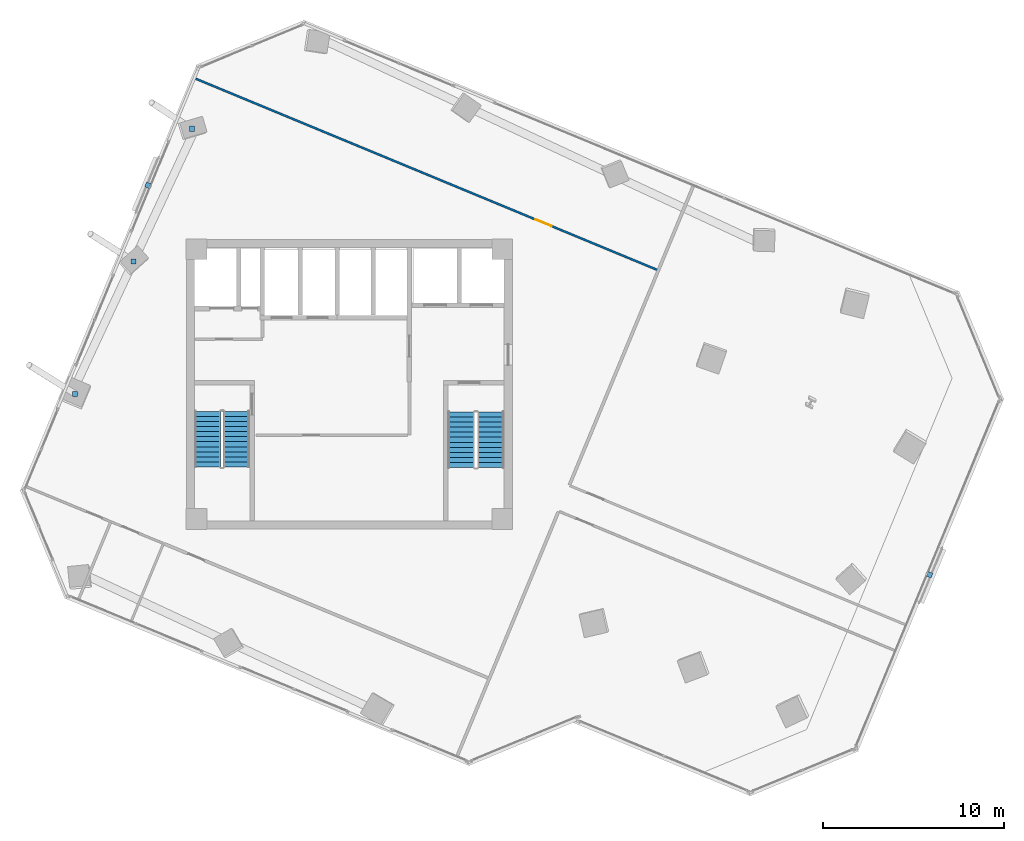
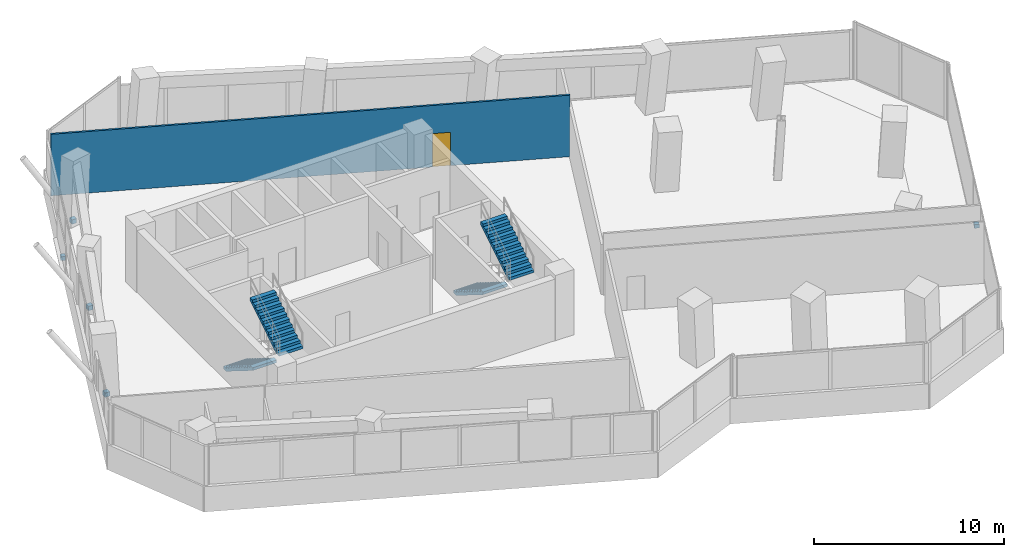
# One storey, part 18 of 22: 5 discrete accessories, 4 stair flights, 1 door, 1 wall, 1 opening, 2 elements without a shape of their own.
"""IFC4 building model written with IfcOpenShell, lengths in metres."""

from ifc_helpers import new_model, si_unit, direction, frame, frame_2d, origin, origin_2d, place, context, subcontext, project, spatial, polyline, rectangle, outline, extrude, source, transform, mapped, material, layer, layer_set, type_object, element, fill, aggregate, save


model = new_model("IFC4")

# Units and contexts
model_context = context("Model", 3, precision=1e-05, world=origin(), true_north=direction((0.0, 1.0)))
body_context = subcontext(model_context, "Body", "Model", "MODEL_VIEW")
ifc_project = project(units=[si_unit("LENGTHUNIT", "METRE"), si_unit("AREAUNIT", "SQUARE_METRE"), si_unit("VOLUMEUNIT", "CUBIC_METRE"), si_unit("PLANEANGLEUNIT", "RADIAN"), si_unit("MASSUNIT", "GRAM", prefix="KILO")], contexts=[model_context])

# Site, building, storey
site_placement = place(None, origin())
site = spatial("IfcSite", under=ifc_project, at=site_placement, CompositionType="ELEMENT")
building_placement = place(site_placement, origin())
building = spatial("IfcBuilding", under=site, at=building_placement, Name="Torre Montelarca", CompositionType="ELEMENT")
storey_placement = place(building_placement, frame((0.0, 0.0, 149.800048828125)))
storey = spatial("IfcBuildingStorey", under=building, at=storey_placement, Name="L33", CompositionType="ELEMENT", Elevation=149.800048828125)

# Wall, opening, door
ifc_material_1 = material(Name="Gypsum plasterboard on steel stud", Category="steel")
ifc_layer = layer(ifc_material_1, 0.114990234375, Name="Gypsum plasterboard on steel stud", Category="steel")
ifc_layer_set = layer_set([ifc_layer], Name="Gypsum plasterboard on steel stud")
wall_type = type_object("IfcWallType", Name="PW-PART-115", PredefinedType="PARTITIONING", material=ifc_layer_set)
wall_placement = place(storey_placement, frame((9.523193359375, 48.8671875, 0.0), z_axis=(0.0, 0.0, 1.0), x_axis=(0.923882225555, -0.382676930718, 0.0)))
wall = element("IfcWall", 1, at=wall_placement, inside=storey, type_object=wall_type, Name="L33 Interior Partition W-L33-NBOT", PredefinedType="PARTITIONING", context=body_context, shape_type="SweptSolid", body=[
    extrude(rectangle(XDim=27.60986328125, YDim=0.114990234375, at=frame_2d((13.804931640625, 0.0))), origin(), (0.0, 0.0, 1.0), 3.9599609375),
])
opening_placement = place(wall_placement, frame((20.31005859375, 0.0, 0.0)))
opening = element("IfcOpeningElement", 2, at=opening_placement, cuts=wall, Name="Opening ID-095", PredefinedType="OPENING", context=body_context, shape_type="SweptSolid", body=[
    extrude(rectangle(XDim=0.949951171875, YDim=2.14990234375, at=frame_2d((0.47509765625, 1.074951171875))), frame((0.0, 0.0673828125, 0.0), z_axis=(0.0, -1.0, 0.0), x_axis=(1.0, 0.0, 0.0)), (0.0, 0.0, 1.0), 0.135009765625),
])
ifc_material_2 = material(Name="Hardwood acoustic timber veneer", Category="wood")
door_type = type_object("IfcDoorType", Name="DR-INT-095", OperationType="NOTDEFINED", PredefinedType="DOOR", material=ifc_material_2)
shared_shape_1 = source(origin(), body_context, "Body", "SweptSolid", [
    extrude(rectangle(XDim=0.949951171875, YDim=2.14990234375, at=frame_2d((0.47509765625, 1.074951171875))), frame((0.0, 0.02490234375, 0.0), z_axis=(0.0, -1.0, 0.0), x_axis=(1.0, 0.0, 0.0)), (0.0, 0.0, 1.0), 0.050048828125),
])
door_placement = place(opening_placement, origin())
door = element("IfcDoor", 3, at=door_placement, inside=storey, type_object=door_type, Name="L33 Interior Door 06", OperationType="SINGLE_SWING_LEFT", OverallHeight=2.14990234375, OverallWidth=0.949951171875, PredefinedType="DOOR", context=body_context, shape_type="MappedRepresentation", body=[
    mapped(shared_shape_1, transform((0.0, 0.0, 0.0), scale=1.0)),
])
fill(opening, door)

# Stair, stair flights
ifc_material_3 = material(Name="Concrete C40/50", Category="concrete")
stair_type_1 = type_object("IfcStairType", Name="ST-CORE-ST1", PredefinedType="HALF_TURN_STAIR", material=ifc_material_3)
stair_1_placement = place(storey_placement, origin())
stair_1 = element("IfcStair", 4, at=stair_1_placement, inside=storey, type_object=stair_type_1, Name="L33 Protected Exit Stair ST1", PredefinedType="HALF_TURN_STAIR")
stair_flight_type_1 = type_object("IfcStairFlightType", Name="SFL-CORE-ST1", PredefinedType="STRAIGHT", material=ifc_material_3)
stair_flight_1_placement = place(storey_placement, frame((10.175048828125, 30.5, 0.0), z_axis=(0.0, 0.0, 1.0), x_axis=(0.0, -1.0, 0.0)))
stair_flight_1 = element("IfcStairFlight", 5, at=stair_flight_1_placement, type_object=stair_flight_type_1, Name="ST1 flight 1", NumberOfRisers=12, NumberOfTreads=11, PredefinedType="STRAIGHT", RiserHeight=0.175, TreadLength=0.28, context=body_context, shape_type="SweptSolid", body=[
    extrude(outline(polyline([(0.0, 0.0), (0.0, 0.175048828125), (0.280029296875, 0.175048828125), (0.280029296875, 0.35009765625), (0.56005859375, 0.35009765625), (0.56005859375, 0.52490234375), (0.840087890625, 0.52490234375), (0.840087890625, 0.699951171875), (1.1201171875, 0.699951171875), (1.1201171875, 0.875), (1.39990234375, 0.875), (1.39990234375, 1.050048828125), (1.679931640625, 1.050048828125), (1.679931640625, 1.22509765625), (1.9599609375, 1.22509765625), (1.9599609375, 1.39990234375), (2.239990234375, 1.39990234375), (2.239990234375, 1.574951171875), (2.52001953125, 1.574951171875), (2.52001953125, 1.75), (2.800048828125, 1.75), (2.800048828125, 1.925048828125), (3.080078125, 1.925048828125), (3.080078125, 2.10009765625), (3.080078125, 1.748291015625), (0.28271484375, 0.0), (0.0, 0.0)])), frame((0.0, 0.72509765625, 0.0), z_axis=(0.0, -1.0, 0.0), x_axis=(1.0, 0.0, 0.0)), (0.0, 0.0, 1.0), 1.449951171875),
])
stair_flight_2_placement = place(storey_placement, frame((11.77490234375, 27.419921875, 2.099853515625), z_axis=(0.0, 0.0, 1.0), x_axis=(0.0, 1.0, 0.0)))
stair_flight_2 = element("IfcStairFlight", 6, at=stair_flight_2_placement, type_object=stair_flight_type_1, Name="ST1 flight 2", NumberOfRisers=12, NumberOfTreads=11, PredefinedType="STRAIGHT", RiserHeight=0.175, TreadLength=0.28, context=body_context, shape_type="SweptSolid", body=[
    extrude(outline(polyline([(0.0, 0.0), (0.0, 0.175048828125), (0.280029296875, 0.175048828125), (0.280029296875, 0.35009765625), (0.56005859375, 0.35009765625), (0.56005859375, 0.52490234375), (0.840087890625, 0.52490234375), (0.840087890625, 0.699951171875), (1.1201171875, 0.699951171875), (1.1201171875, 0.875), (1.39990234375, 0.875), (1.39990234375, 1.050048828125), (1.679931640625, 1.050048828125), (1.679931640625, 1.22509765625), (1.9599609375, 1.22509765625), (1.9599609375, 1.39990234375), (2.239990234375, 1.39990234375), (2.239990234375, 1.574951171875), (2.52001953125, 1.574951171875), (2.52001953125, 1.75), (2.800048828125, 1.75), (2.800048828125, 1.925048828125), (3.080078125, 1.925048828125), (3.080078125, 2.10009765625), (3.080078125, 1.748291015625), (0.28271484375, 0.0), (0.0, 0.0)])), frame((0.0, 0.72509765625, 0.0), z_axis=(0.0, -1.0, 0.0), x_axis=(1.0, 0.0, 0.0)), (0.0, 0.0, 1.0), 1.449951171875),
])
aggregate(stair_1, [stair_flight_1, stair_flight_2])

stair_type_2 = type_object("IfcStairType", Name="ST-CORE-ST2", PredefinedType="HALF_TURN_STAIR", material=ifc_material_3)
stair_2_placement = place(storey_placement, origin())
stair_2 = element("IfcStair", 7, at=stair_2_placement, inside=storey, type_object=stair_type_2, Name="L33 Protected Exit Stair ST2", PredefinedType="HALF_TURN_STAIR")
stair_flight_type_2 = type_object("IfcStairFlightType", Name="SFL-CORE-ST2", PredefinedType="STRAIGHT", material=ifc_material_3)
stair_flight_3_placement = place(storey_placement, frame((24.179931640625, 30.469970703125, 0.0), z_axis=(0.0, 0.0, 1.0), x_axis=(0.0, -1.0, 0.0)))
stair_flight_3 = element("IfcStairFlight", 8, at=stair_flight_3_placement, type_object=stair_flight_type_2, Name="ST2 flight 1", NumberOfRisers=12, NumberOfTreads=11, PredefinedType="STRAIGHT", RiserHeight=0.175, TreadLength=0.28, context=body_context, shape_type="SweptSolid", body=[
    extrude(outline(polyline([(0.0, 0.0), (0.0, 0.175048828125), (0.280029296875, 0.175048828125), (0.280029296875, 0.35009765625), (0.56005859375, 0.35009765625), (0.56005859375, 0.52490234375), (0.840087890625, 0.52490234375), (0.840087890625, 0.699951171875), (1.1201171875, 0.699951171875), (1.1201171875, 0.875), (1.39990234375, 0.875), (1.39990234375, 1.050048828125), (1.679931640625, 1.050048828125), (1.679931640625, 1.22509765625), (1.9599609375, 1.22509765625), (1.9599609375, 1.39990234375), (2.239990234375, 1.39990234375), (2.239990234375, 1.574951171875), (2.52001953125, 1.574951171875), (2.52001953125, 1.75), (2.800048828125, 1.75), (2.800048828125, 1.925048828125), (3.080078125, 1.925048828125), (3.080078125, 2.10009765625), (3.080078125, 1.748291015625), (0.28271484375, 0.0), (0.0, 0.0)])), frame((0.0, 0.739990234375, 0.0), z_axis=(0.0, -1.0, 0.0), x_axis=(1.0, 0.0, 0.0)), (0.0, 0.0, 1.0), 1.47998046875),
])
stair_flight_4_placement = place(storey_placement, frame((25.81005859375, 27.389892578125, 2.099853515625), z_axis=(0.0, 0.0, 1.0), x_axis=(0.0, 1.0, 0.0)))
stair_flight_4 = element("IfcStairFlight", 9, at=stair_flight_4_placement, type_object=stair_flight_type_2, Name="ST2 flight 2", NumberOfRisers=12, NumberOfTreads=11, PredefinedType="STRAIGHT", RiserHeight=0.175, TreadLength=0.28, context=body_context, shape_type="SweptSolid", body=[
    extrude(outline(polyline([(0.0, 0.0), (0.0, 0.175048828125), (0.280029296875, 0.175048828125), (0.280029296875, 0.35009765625), (0.56005859375, 0.35009765625), (0.56005859375, 0.52490234375), (0.840087890625, 0.52490234375), (0.840087890625, 0.699951171875), (1.1201171875, 0.699951171875), (1.1201171875, 0.875), (1.39990234375, 0.875), (1.39990234375, 1.050048828125), (1.679931640625, 1.050048828125), (1.679931640625, 1.22509765625), (1.9599609375, 1.22509765625), (1.9599609375, 1.39990234375), (2.239990234375, 1.39990234375), (2.239990234375, 1.574951171875), (2.52001953125, 1.574951171875), (2.52001953125, 1.75), (2.800048828125, 1.75), (2.800048828125, 1.925048828125), (3.080078125, 1.925048828125), (3.080078125, 2.10009765625), (3.080078125, 1.748291015625), (0.28271484375, 0.0), (0.0, 0.0)])), frame((0.0, 0.739990234375, 0.0), z_axis=(0.0, -1.0, 0.0), x_axis=(1.0, 0.0, 0.0)), (0.0, 0.0, 1.0), 1.47998046875),
])
aggregate(stair_2, [stair_flight_3, stair_flight_4])

# Discrete accessories
ifc_material_4 = material(Name="Stainless steel AISI 316", Category="steel")
discrete_accessory_type = type_object("IfcDiscreteAccessoryType", Name="ACC-BRACKET-SS", PredefinedType="BRACKET", material=ifc_material_4)
shared_shape_2 = source(origin(), body_context, "Body", "SweptSolid", [
    extrude(rectangle(XDim=0.280029296875, YDim=0.280029296875, at=origin_2d()), origin(), (0.0, 0.0, 1.0), 0.280029296875),
])
for number, where, z_axis, x_axis, name in (
    (10, (2.85498046875, 31.4638671875, 0.009765625), (0.0, 0.0, 1.0), (1.0, 0.0, 0.0), "L34 Raker End Connection Bracket W1-FT"),
    (11, (6.076904296875, 38.786376953125, 0.009765625), (0.0, 0.0, 1.0), (1.0, 0.0, 0.0), "L34 Raker End Connection Bracket W2-FT"),
    (12, (9.299072265625, 46.10888671875, 0.009765625), (0.0, 0.0, 1.0), (1.0, 0.0, 0.0), "L34 Raker End Connection Bracket W3-FT"),
):
    element("IfcDiscreteAccessory", number, at=place(storey_placement, frame(where, z_axis=z_axis, x_axis=x_axis)), inside=storey, type_object=discrete_accessory_type, Name=name, PredefinedType="BRACKET", context=body_context, shape_type="MappedRepresentation", body=[
        mapped(shared_shape_2, transform((0.0, 0.0, 0.0), scale=1.0)),
    ])
shared_shape_3 = source(origin(), body_context, "Body", "SweptSolid", [
    extrude(rectangle(XDim=0.280029296875, YDim=0.260009765625, at=origin_2d()), origin(), (0.0, 0.0, 1.0), 0.239990234375),
])
for number, where, z_axis, x_axis, name in (
    (13, (50.063720703125, 21.46728515625, 0.39990234375), (0.0, 0.0, 1.0), (0.382680207415, 0.923880868323, 0.0), "L33 Solar Screen Support Bracket E6-1"),
    (14, (6.8701171875, 42.985107421875, 0.39990234375), (0.0, 0.0, 1.0), (-0.382680207415, -0.923880868323, 0.0), "L33 Solar Screen Support Bracket E10-1"),
):
    element("IfcDiscreteAccessory", number, at=place(storey_placement, frame(where, z_axis=z_axis, x_axis=x_axis)), inside=storey, type_object=discrete_accessory_type, Name=name, PredefinedType="BRACKET", context=body_context, shape_type="MappedRepresentation", body=[
        mapped(shared_shape_3, transform((0.0, 0.0, 0.0), scale=1.0)),
    ])

save(model, "model.ifc")
